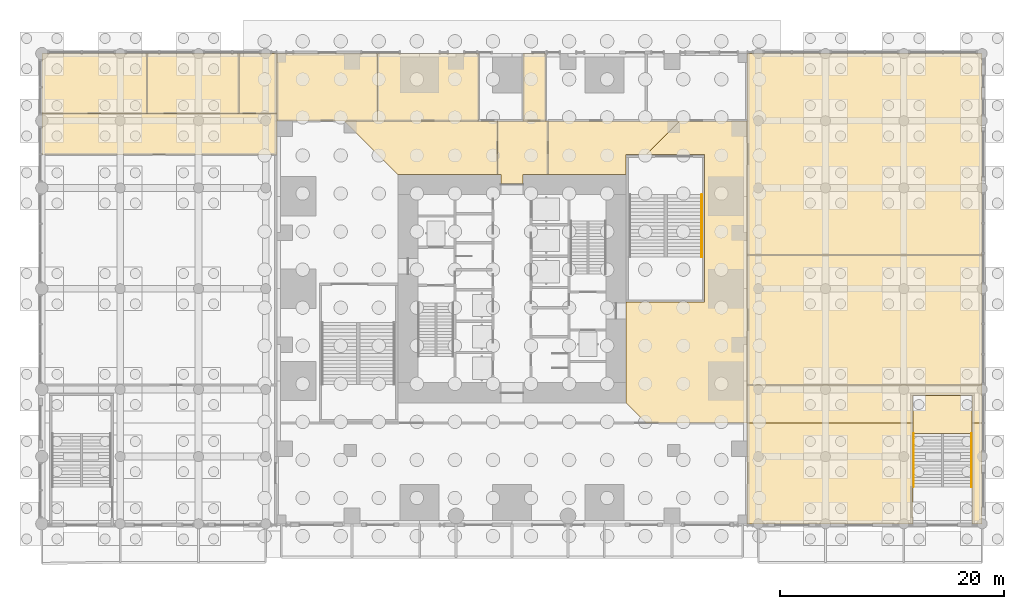
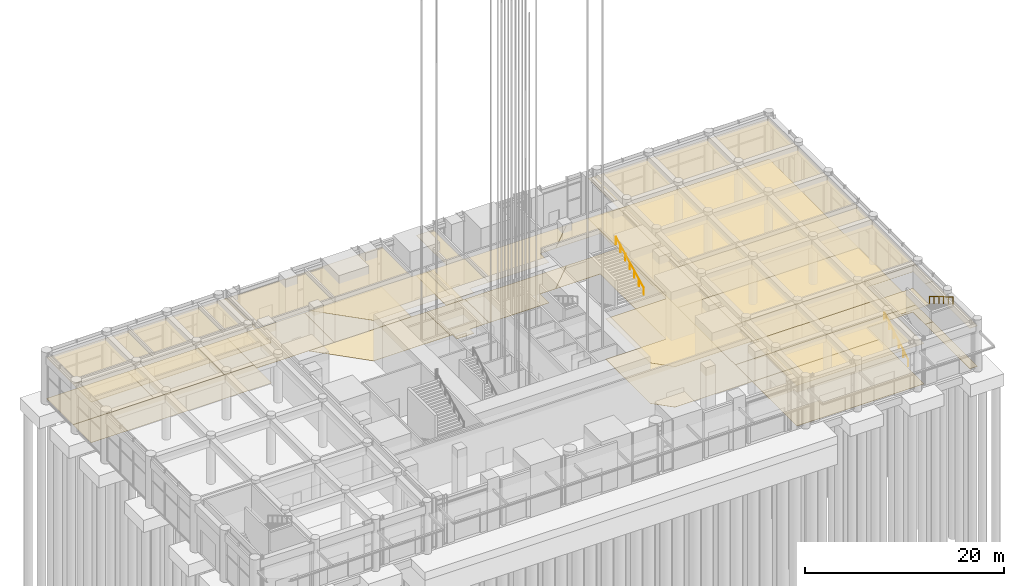
# One storey, part 45 of 46: 33 coverings, 3 railings.
"""IFC4 building model written with IfcOpenShell, lengths in metres."""

from ifc_helpers import new_model, si_unit, direction, frame, origin, origin_2d, place, context, subcontext, project, spatial, polyline, circle, outline, extrude, material, layer, layer_set, type_object, element, save


model = new_model("IFC4")

# Units and contexts
model_context = context("Model", 3, precision=1e-05, world=origin(), true_north=direction((0.0, 1.0)))
body_context = subcontext(model_context, "Body", "Model", "MODEL_VIEW")
ifc_project = project(units=[si_unit("LENGTHUNIT", "METRE"), si_unit("AREAUNIT", "SQUARE_METRE"), si_unit("VOLUMEUNIT", "CUBIC_METRE"), si_unit("PLANEANGLEUNIT", "RADIAN"), si_unit("MASSUNIT", "GRAM", prefix="KILO")], contexts=[model_context])

# Site, building, storey
site_placement = place(None, origin())
site = spatial("IfcSite", under=ifc_project, at=site_placement, CompositionType="ELEMENT")
building_placement = place(site_placement, origin())
building = spatial("IfcBuilding", under=site, at=building_placement, Name="Svetlomir Tower", CompositionType="ELEMENT")
storey_placement = place(building_placement, origin())
storey = spatial("IfcBuildingStorey", under=building, at=storey_placement, Name="L00", CompositionType="ELEMENT", Elevation=0.0)

# Coverings
ifc_material_1 = material(Name="Ceramic floor tile", Category="ceramic")
ifc_layer_1 = layer(ifc_material_1, 0.014892578125)
ifc_layer_set_1 = layer_set([ifc_layer_1], Name="Ceramic floor tile")
covering_type_1 = type_object("IfcCoveringType", Name="CERAMIC TILE FLOOR 15", PredefinedType="FLOORING", material=ifc_layer_set_1)
covering_1_placement = place(storey_placement, origin())
element("IfcCovering", 1, at=covering_1_placement, inside=storey, type_object=covering_type_1, Name="Floor finish L00-14", PredefinedType="FLOORING", context=body_context, shape_type="SweptSolid", body=[
    extrude(outline(polyline([(-21.0, 33.0), (0.0, 33.0), (0.0, 36.64990234375), (-21.0, 36.64990234375), (-21.0, 33.0)])), origin(), (0.0, 0.0, 1.0), 0.014892578125),
])
covering_2_placement = place(storey_placement, origin())
element("IfcCovering", 2, at=covering_2_placement, inside=storey, type_object=covering_type_1, Name="Floor finish L00-15", PredefinedType="FLOORING", context=body_context, shape_type="SweptSolid", body=[
    extrude(outline(polyline([(-21.0, 36.64990234375), (-11.60009765625, 36.64990234375), (-11.60009765625, 42.0), (-21.0, 42.0), (-21.0, 36.64990234375)])), origin(), (0.0, 0.0, 1.0), 0.014892578125),
])
covering_3_placement = place(storey_placement, origin())
element("IfcCovering", 3, at=covering_3_placement, inside=storey, type_object=covering_type_1, Name="Floor finish L00-16", PredefinedType="FLOORING", context=body_context, shape_type="SweptSolid", body=[
    extrude(outline(polyline([(-11.60009765625, 36.64990234375), (-3.39990234375, 36.64990234375), (-3.39990234375, 42.0), (-11.60009765625, 42.0), (-11.60009765625, 36.64990234375)])), origin(), (0.0, 0.0, 1.0), 0.014892578125),
])
covering_4_placement = place(storey_placement, origin())
element("IfcCovering", 4, at=covering_4_placement, inside=storey, type_object=covering_type_1, Name="Floor finish L00-17", PredefinedType="FLOORING", context=body_context, shape_type="SweptSolid", body=[
    extrude(outline(polyline([(-3.39990234375, 36.64990234375), (0.0, 36.64990234375), (0.0, 42.0), (-3.39990234375, 42.0), (-3.39990234375, 36.64990234375)])), origin(), (0.0, 0.0, 1.0), 0.014892578125),
])

# Railings
ifc_material_2 = material(Name="Stainless steel", Category="steel")
railing_type = type_object("IfcRailingType", Name="HANDRAIL HR1 900", PredefinedType="HANDRAIL", material=ifc_material_2)
railing_1_placement = place(storey_placement, frame((37.949951171875, 23.820068359375, 3.157958984375)))
element("IfcRailing", 5, at=railing_1_placement, inside=storey, type_object=railing_type, Name="Handrail P2 flight 2 L00", PredefinedType="HANDRAIL", context=body_context, shape_type="SweptSolid", body=[
    extrude(circle(Radius=0.02392578125, at=origin_2d()), frame((0.0, 0.0, 0.8759765625), z_axis=(0.0, 0.891072818366, 0.453860366598), x_axis=(-1.0, 0.0, 0.0)), (0.0, 0.0, 1.0), 6.261962890625),
    extrude(circle(Radius=0.02099609375, at=origin_2d()), origin(), (0.0, 0.0, 1.0), 0.851806640625),
    extrude(circle(Radius=0.02099609375, at=origin_2d()), frame((0.0, 0.929931640625, 0.4736328125)), (0.0, 0.0, 1.0), 0.851806640625),
    extrude(circle(Radius=0.02099609375, at=origin_2d()), frame((0.0, 1.85986328125, 0.947265625)), (0.0, 0.0, 1.0), 0.851806640625),
    extrude(circle(Radius=0.02099609375, at=origin_2d()), frame((0.0, 2.7900390625, 1.4208984375)), (0.0, 0.0, 1.0), 0.851806640625),
    extrude(circle(Radius=0.02099609375, at=origin_2d()), frame((0.0, 3.719970703125, 1.894775390625)), (0.0, 0.0, 1.0), 0.851806640625),
    extrude(circle(Radius=0.02099609375, at=origin_2d()), frame((0.0, 4.64990234375, 2.368408203125)), (0.0, 0.0, 1.0), 0.851806640625),
    extrude(circle(Radius=0.02099609375, at=origin_2d()), frame((0.0, 5.579833984375, 2.842041015625)), (0.0, 0.0, 1.0), 0.851806640625),
])
railing_2_placement = place(storey_placement, frame((56.85009765625, 3.300048828125, 0.166748046875)))
element("IfcRailing", 6, at=railing_2_placement, inside=storey, type_object=railing_type, Name="Handrail P4 flight 1 L00", PredefinedType="HANDRAIL", context=body_context, shape_type="SweptSolid", body=[
    extrude(circle(Radius=0.02392578125, at=origin_2d()), frame((0.0, 0.0, 0.8759765625), z_axis=(0.0, 0.859299802514, 0.511472237174), x_axis=(-1.0, 0.0, 0.0)), (0.0, 0.0, 1.0), 5.539306640625),
    extrude(circle(Radius=0.02099609375, at=origin_2d()), origin(), (0.0, 0.0, 1.0), 0.851806640625),
    extrude(circle(Radius=0.02099609375, at=origin_2d()), frame((0.0, 0.951904296875, 0.566650390625)), (0.0, 0.0, 1.0), 0.851806640625),
    extrude(circle(Radius=0.02099609375, at=origin_2d()), frame((0.0, 1.904052734375, 1.13330078125)), (0.0, 0.0, 1.0), 0.851806640625),
    extrude(circle(Radius=0.02099609375, at=origin_2d()), frame((0.0, 2.85595703125, 1.699951171875)), (0.0, 0.0, 1.0), 0.851806640625),
    extrude(circle(Radius=0.02099609375, at=origin_2d()), frame((0.0, 3.80810546875, 2.2666015625)), (0.0, 0.0, 1.0), 0.851806640625),
    extrude(circle(Radius=0.02099609375, at=origin_2d()), frame((0.0, 4.760009765625, 2.833251953125)), (0.0, 0.0, 1.0), 0.851806640625),
])
railing_3_placement = place(storey_placement, frame((62.050048828125, 8.06005859375, 3.166748046875)))
element("IfcRailing", 7, at=railing_3_placement, inside=storey, type_object=railing_type, Name="Handrail P4 flight 2 L00", PredefinedType="HANDRAIL", context=body_context, shape_type="SweptSolid", body=[
    extrude(circle(Radius=0.02392578125, at=origin_2d()), frame((0.0, 0.0, 0.8759765625), z_axis=(0.0, -0.859299802514, 0.511472237174), x_axis=(1.0, 0.0, 0.0)), (0.0, 0.0, 1.0), 5.539306640625),
    extrude(circle(Radius=0.02099609375, at=origin_2d()), origin(), (0.0, 0.0, 1.0), 0.851806640625),
    extrude(circle(Radius=0.02099609375, at=origin_2d()), frame((0.0, -0.951904296875, 0.566650390625)), (0.0, 0.0, 1.0), 0.851806640625),
    extrude(circle(Radius=0.02099609375, at=origin_2d()), frame((0.0, -1.904052734375, 1.13330078125)), (0.0, 0.0, 1.0), 0.851806640625),
    extrude(circle(Radius=0.02099609375, at=origin_2d()), frame((0.0, -2.85595703125, 1.699951171875)), (0.0, 0.0, 1.0), 0.851806640625),
    extrude(circle(Radius=0.02099609375, at=origin_2d()), frame((0.0, -3.80810546875, 2.2666015625)), (0.0, 0.0, 1.0), 0.851806640625),
    extrude(circle(Radius=0.02099609375, at=origin_2d()), frame((0.0, -4.760009765625, 2.833251953125)), (0.0, 0.0, 1.0), 0.851806640625),
])

# Coverings
ifc_material_3 = material(Name="Moisture resistant plasterboard ceiling", Category="gypsum")
ifc_layer_2 = layer(ifc_material_3, 0.012451171875)
ifc_layer_set_2 = layer_set([ifc_layer_2], Name="Moisture resistant plasterboard ceiling")
covering_type_2 = type_object("IfcCoveringType", Name="MOISTURE RESISTANT CEILING 12.5", PredefinedType="CEILING", material=ifc_layer_set_2)
covering_5_placement = place(storey_placement, frame((0.0, 0.0, 4.987548828125)))
element("IfcCovering", 8, at=covering_5_placement, inside=storey, type_object=covering_type_2, Name="Ceiling L00-14", PredefinedType="CEILING", context=body_context, shape_type="SweptSolid", body=[
    extrude(outline(polyline([(-21.0, 33.0), (0.0, 33.0), (0.0, 36.64990234375), (-21.0, 36.64990234375), (-21.0, 33.0)])), origin(), (0.0, 0.0, 1.0), 0.012451171875),
])
covering_6_placement = place(storey_placement, frame((0.0, 0.0, 4.987548828125)))
element("IfcCovering", 9, at=covering_6_placement, inside=storey, type_object=covering_type_2, Name="Ceiling L00-15", PredefinedType="CEILING", context=body_context, shape_type="SweptSolid", body=[
    extrude(outline(polyline([(-21.0, 36.64990234375), (-11.60009765625, 36.64990234375), (-11.60009765625, 42.0), (-21.0, 42.0), (-21.0, 36.64990234375)])), origin(), (0.0, 0.0, 1.0), 0.012451171875),
])
covering_7_placement = place(storey_placement, frame((0.0, 0.0, 4.987548828125)))
element("IfcCovering", 10, at=covering_7_placement, inside=storey, type_object=covering_type_2, Name="Ceiling L00-16", PredefinedType="CEILING", context=body_context, shape_type="SweptSolid", body=[
    extrude(outline(polyline([(-11.60009765625, 36.64990234375), (-3.39990234375, 36.64990234375), (-3.39990234375, 42.0), (-11.60009765625, 42.0), (-11.60009765625, 36.64990234375)])), origin(), (0.0, 0.0, 1.0), 0.012451171875),
])
covering_8_placement = place(storey_placement, frame((0.0, 0.0, 4.987548828125)))
element("IfcCovering", 11, at=covering_8_placement, inside=storey, type_object=covering_type_2, Name="Ceiling L00-17", PredefinedType="CEILING", context=body_context, shape_type="SweptSolid", body=[
    extrude(outline(polyline([(-3.39990234375, 36.64990234375), (0.0, 36.64990234375), (0.0, 42.0), (-3.39990234375, 42.0), (-3.39990234375, 36.64990234375)])), origin(), (0.0, 0.0, 1.0), 0.012451171875),
])
ifc_material_4 = material(Name="Gypsum plasterboard ceiling", Category="gypsum")
ifc_layer_3 = layer(ifc_material_4, 0.014892578125)
ifc_layer_set_3 = layer_set([ifc_layer_3], Name="Gypsum plasterboard ceiling")
covering_type_3 = type_object("IfcCoveringType", Name="PLASTERBOARD CEILING 15", PredefinedType="CEILING", material=ifc_layer_set_3)
covering_9_placement = place(storey_placement, frame((0.0, 0.0, 4.985107421875)))
element("IfcCovering", 12, at=covering_9_placement, inside=storey, type_object=covering_type_3, Name="Ceiling L00-18", PredefinedType="CEILING", context=body_context, shape_type="SweptSolid", body=[
    extrude(outline(polyline([(42.0, 12.39990234375), (63.0, 12.39990234375), (63.0, 24.0), (42.0, 24.0), (42.0, 12.39990234375)])), origin(), (0.0, 0.0, 1.0), 0.014892578125),
])
covering_10_placement = place(storey_placement, frame((0.0, 0.0, 4.985107421875)))
element("IfcCovering", 13, at=covering_10_placement, inside=storey, type_object=covering_type_3, Name="Ceiling L00-19", PredefinedType="CEILING", context=body_context, shape_type="SweptSolid", body=[
    extrude(outline(polyline([(42.0, 24.0), (63.0, 24.0), (63.0, 42.0), (42.0, 42.0), (42.0, 24.0)])), origin(), (0.0, 0.0, 1.0), 0.014892578125),
])
covering_11_placement = place(storey_placement, frame((0.0, 0.0, 4.985107421875)))
element("IfcCovering", 14, at=covering_11_placement, inside=storey, type_object=covering_type_3, Name="Ceiling L00-20", PredefinedType="CEILING", context=body_context, shape_type="SweptSolid", body=[
    extrude(outline(polyline([(0.0, 36.0), (9.0, 36.0), (9.0, 42.0), (0.0, 42.0), (0.0, 36.0)])), origin(), (0.0, 0.0, 1.0), 0.014892578125),
])
covering_12_placement = place(storey_placement, frame((0.0, 0.0, 4.985107421875)))
element("IfcCovering", 15, at=covering_12_placement, inside=storey, type_object=covering_type_3, Name="Ceiling L00-21", PredefinedType="CEILING", context=body_context, shape_type="SweptSolid", body=[
    extrude(outline(polyline([(9.0, 36.0), (18.0, 36.0), (18.0, 42.0), (9.0, 42.0), (9.0, 36.0)])), origin(), (0.0, 0.0, 1.0), 0.014892578125),
])
covering_13_placement = place(storey_placement, frame((0.0, 0.0, 4.985107421875)))
element("IfcCovering", 16, at=covering_13_placement, inside=storey, type_object=covering_type_3, Name="Ceiling L00-23", PredefinedType="CEILING", context=body_context, shape_type="SweptSolid", body=[
    extrude(outline(polyline([(19.699951171875, 31.199951171875), (20.0, 31.199951171875), (20.0, 30.35009765625), (22.0, 30.35009765625), (22.0, 31.199951171875), (24.199951171875, 31.199951171875), (24.199951171875, 36.0), (19.699951171875, 36.0), (19.699951171875, 31.199951171875)])), origin(), (0.0, 0.0, 1.0), 0.014892578125),
])
covering_14_placement = place(storey_placement, frame((0.0, 0.0, 4.985107421875)))
element("IfcCovering", 17, at=covering_14_placement, inside=storey, type_object=covering_type_3, Name="Ceiling L00-24", PredefinedType="CEILING", context=body_context, shape_type="SweptSolid", body=[
    extrude(outline(polyline([(22.0, 36.0), (24.0, 36.0), (24.0, 42.0), (22.0, 42.0), (22.0, 36.0)])), origin(), (0.0, 0.0, 1.0), 0.014892578125),
])
covering_15_placement = place(storey_placement, frame((0.0, 0.0, 4.985107421875)))
element("IfcCovering", 18, at=covering_15_placement, inside=storey, type_object=covering_type_3, Name="Ceiling L00-33", PredefinedType="CEILING", context=body_context, shape_type="SweptSolid", body=[
    extrude(outline(polyline([(42.0, 9.0), (56.800048828125, 9.0), (56.800048828125, 0.0), (42.0, 0.0), (42.0, 9.0)])), origin(), (0.0, 0.0, 1.0), 0.014892578125),
])
covering_16_placement = place(storey_placement, frame((0.0, 0.0, 4.985107421875)))
element("IfcCovering", 19, at=covering_16_placement, inside=storey, type_object=covering_type_3, Name="Ceiling L00-35", PredefinedType="CEILING", context=body_context, shape_type="SweptSolid", body=[
    extrude(outline(polyline([(63.0, 0.0), (62.10009765625, 0.0), (62.10009765625, 9.0), (63.0, 9.0), (63.0, 0.0)])), origin(), (0.0, 0.0, 1.0), 0.014892578125),
])
covering_17_placement = place(storey_placement, frame((0.0, 0.0, 4.985107421875)))
element("IfcCovering", 20, at=covering_17_placement, inside=storey, type_object=covering_type_3, Name="Ceiling L00-37", PredefinedType="CEILING", context=body_context, shape_type="SweptSolid", body=[
    extrude(outline(polyline([(19.699951171875, 36.0), (19.699951171875, 31.199951171875), (10.800048828125, 31.199951171875), (6.0, 36.0), (19.699951171875, 36.0)])), origin(), (0.0, 0.0, 1.0), 0.014892578125),
])
covering_18_placement = place(storey_placement, frame((0.0, 0.0, 4.985107421875)))
element("IfcCovering", 21, at=covering_18_placement, inside=storey, type_object=covering_type_3, Name="Ceiling L00-40", PredefinedType="CEILING", context=body_context, shape_type="SweptSolid", body=[
    extrude(outline(polyline([(31.199951171875, 19.800048828125), (38.199951171875, 19.800048828125), (38.199951171875, 33.0), (33.0, 33.0), (36.0, 36.0), (42.0, 36.0), (42.0, 9.0), (33.0, 9.0), (31.199951171875, 10.800048828125), (31.199951171875, 19.800048828125)])), origin(), (0.0, 0.0, 1.0), 0.014892578125),
])
covering_19_placement = place(storey_placement, frame((0.0, 0.0, 4.985107421875)))
element("IfcCovering", 22, at=covering_19_placement, inside=storey, type_object=covering_type_3, Name="Ceiling L00-41", PredefinedType="CEILING", context=body_context, shape_type="SweptSolid", body=[
    extrude(outline(polyline([(31.199951171875, 33.0), (31.199951171875, 31.199951171875), (24.199951171875, 31.199951171875), (24.199951171875, 36.0), (36.0, 36.0), (33.0, 33.0), (31.199951171875, 33.0)])), origin(), (0.0, 0.0, 1.0), 0.014892578125),
])
covering_20_placement = place(storey_placement, frame((0.0, 0.0, 4.985107421875)))
element("IfcCovering", 23, at=covering_20_placement, inside=storey, type_object=covering_type_3, Name="Ceiling L00-42", PredefinedType="CEILING", context=body_context, shape_type="SweptSolid", body=[
    extrude(outline(polyline([(42.0, 12.39990234375), (63.0, 12.39990234375), (63.0, 9.0), (62.10009765625, 9.0), (62.10009765625, 11.449951171875), (56.800048828125, 11.449951171875), (56.800048828125, 9.0), (42.0, 9.0), (42.0, 12.39990234375)])), origin(), (0.0, 0.0, 1.0), 0.014892578125),
])
ifc_material_5 = material(Name="Studded rubber floor finish", Category="rubber")
ifc_layer_4 = layer(ifc_material_5, 0.006103515625)
ifc_layer_set_4 = layer_set([ifc_layer_4], Name="Studded rubber floor finish")
covering_type_4 = type_object("IfcCoveringType", Name="RUBBER LANDING FINISH 6", PredefinedType="FLOORING", material=ifc_layer_set_4)
covering_21_placement = place(storey_placement, frame((0.0, 0.0, 3.0)))
element("IfcCovering", 24, at=covering_21_placement, inside=storey, type_object=covering_type_4, Name="Stair P4 landing finish L00", PredefinedType="FLOORING", context=body_context, shape_type="SweptSolid", body=[
    extrude(outline(polyline([(56.800048828125, 8.06005859375), (62.10009765625, 8.06005859375), (62.10009765625, 11.449951171875), (56.800048828125, 11.449951171875), (56.800048828125, 8.06005859375)])), origin(), (0.0, 0.0, 1.0), 0.006103515625),
])
ifc_material_6 = material(Name="Bronze-aggregate terrazzo", Category="stone")
ifc_layer_5 = layer(ifc_material_6, 0.030029296875)
ifc_layer_set_5 = layer_set([ifc_layer_5], Name="Bronze-aggregate terrazzo")
covering_type_5 = type_object("IfcCoveringType", Name="TERRAZZO FLOOR 30", PredefinedType="FLOORING", material=ifc_layer_set_5)
covering_22_placement = place(storey_placement, origin())
element("IfcCovering", 25, at=covering_22_placement, inside=storey, type_object=covering_type_5, Name="Floor finish L00-18", PredefinedType="FLOORING", context=body_context, shape_type="SweptSolid", body=[
    extrude(outline(polyline([(42.0, 12.39990234375), (63.0, 12.39990234375), (63.0, 24.0), (42.0, 24.0), (42.0, 12.39990234375)])), origin(), (0.0, 0.0, 1.0), 0.030029296875),
])
covering_23_placement = place(storey_placement, origin())
element("IfcCovering", 26, at=covering_23_placement, inside=storey, type_object=covering_type_5, Name="Floor finish L00-19", PredefinedType="FLOORING", context=body_context, shape_type="SweptSolid", body=[
    extrude(outline(polyline([(42.0, 24.0), (63.0, 24.0), (63.0, 42.0), (42.0, 42.0), (42.0, 24.0)])), origin(), (0.0, 0.0, 1.0), 0.030029296875),
])
covering_24_placement = place(storey_placement, origin())
element("IfcCovering", 27, at=covering_24_placement, inside=storey, type_object=covering_type_5, Name="Floor finish L00-20", PredefinedType="FLOORING", context=body_context, shape_type="SweptSolid", body=[
    extrude(outline(polyline([(0.0, 36.0), (9.0, 36.0), (9.0, 42.0), (0.0, 42.0), (0.0, 36.0)])), origin(), (0.0, 0.0, 1.0), 0.030029296875),
])
covering_25_placement = place(storey_placement, origin())
element("IfcCovering", 28, at=covering_25_placement, inside=storey, type_object=covering_type_5, Name="Floor finish L00-21", PredefinedType="FLOORING", context=body_context, shape_type="SweptSolid", body=[
    extrude(outline(polyline([(9.0, 36.0), (18.0, 36.0), (18.0, 42.0), (9.0, 42.0), (9.0, 36.0)])), origin(), (0.0, 0.0, 1.0), 0.030029296875),
])
covering_26_placement = place(storey_placement, origin())
element("IfcCovering", 29, at=covering_26_placement, inside=storey, type_object=covering_type_5, Name="Floor finish L00-23", PredefinedType="FLOORING", context=body_context, shape_type="SweptSolid", body=[
    extrude(outline(polyline([(19.699951171875, 31.199951171875), (20.0, 31.199951171875), (20.0, 30.35009765625), (22.0, 30.35009765625), (22.0, 31.199951171875), (24.199951171875, 31.199951171875), (24.199951171875, 36.0), (19.699951171875, 36.0), (19.699951171875, 31.199951171875)])), origin(), (0.0, 0.0, 1.0), 0.030029296875),
])
covering_27_placement = place(storey_placement, origin())
element("IfcCovering", 30, at=covering_27_placement, inside=storey, type_object=covering_type_5, Name="Floor finish L00-24", PredefinedType="FLOORING", context=body_context, shape_type="SweptSolid", body=[
    extrude(outline(polyline([(22.0, 36.0), (24.0, 36.0), (24.0, 42.0), (22.0, 42.0), (22.0, 36.0)])), origin(), (0.0, 0.0, 1.0), 0.030029296875),
])
covering_28_placement = place(storey_placement, origin())
element("IfcCovering", 31, at=covering_28_placement, inside=storey, type_object=covering_type_5, Name="Floor finish L00-33", PredefinedType="FLOORING", context=body_context, shape_type="SweptSolid", body=[
    extrude(outline(polyline([(42.0, 9.0), (56.800048828125, 9.0), (56.800048828125, 0.0), (42.0, 0.0), (42.0, 9.0)])), origin(), (0.0, 0.0, 1.0), 0.030029296875),
])
covering_29_placement = place(storey_placement, origin())
element("IfcCovering", 32, at=covering_29_placement, inside=storey, type_object=covering_type_5, Name="Floor finish L00-35", PredefinedType="FLOORING", context=body_context, shape_type="SweptSolid", body=[
    extrude(outline(polyline([(63.0, 0.0), (62.10009765625, 0.0), (62.10009765625, 9.0), (63.0, 9.0), (63.0, 0.0)])), origin(), (0.0, 0.0, 1.0), 0.030029296875),
])
covering_30_placement = place(storey_placement, origin())
element("IfcCovering", 33, at=covering_30_placement, inside=storey, type_object=covering_type_5, Name="Floor finish L00-37", PredefinedType="FLOORING", context=body_context, shape_type="SweptSolid", body=[
    extrude(outline(polyline([(19.699951171875, 36.0), (19.699951171875, 31.199951171875), (10.800048828125, 31.199951171875), (6.0, 36.0), (19.699951171875, 36.0)])), origin(), (0.0, 0.0, 1.0), 0.030029296875),
])
covering_31_placement = place(storey_placement, origin())
element("IfcCovering", 34, at=covering_31_placement, inside=storey, type_object=covering_type_5, Name="Floor finish L00-40", PredefinedType="FLOORING", context=body_context, shape_type="SweptSolid", body=[
    extrude(outline(polyline([(31.199951171875, 19.800048828125), (38.199951171875, 19.800048828125), (38.199951171875, 33.0), (33.0, 33.0), (36.0, 36.0), (42.0, 36.0), (42.0, 9.0), (33.0, 9.0), (31.199951171875, 10.800048828125), (31.199951171875, 19.800048828125)])), origin(), (0.0, 0.0, 1.0), 0.030029296875),
])
covering_32_placement = place(storey_placement, origin())
element("IfcCovering", 35, at=covering_32_placement, inside=storey, type_object=covering_type_5, Name="Floor finish L00-41", PredefinedType="FLOORING", context=body_context, shape_type="SweptSolid", body=[
    extrude(outline(polyline([(31.199951171875, 33.0), (31.199951171875, 31.199951171875), (24.199951171875, 31.199951171875), (24.199951171875, 36.0), (36.0, 36.0), (33.0, 33.0), (31.199951171875, 33.0)])), origin(), (0.0, 0.0, 1.0), 0.030029296875),
])
covering_33_placement = place(storey_placement, origin())
element("IfcCovering", 36, at=covering_33_placement, inside=storey, type_object=covering_type_5, Name="Floor finish L00-42", PredefinedType="FLOORING", context=body_context, shape_type="SweptSolid", body=[
    extrude(outline(polyline([(42.0, 12.39990234375), (63.0, 12.39990234375), (63.0, 9.0), (62.10009765625, 9.0), (62.10009765625, 11.449951171875), (56.800048828125, 11.449951171875), (56.800048828125, 9.0), (42.0, 9.0), (42.0, 12.39990234375)])), origin(), (0.0, 0.0, 1.0), 0.030029296875),
])

save(model, "model.ifc")
